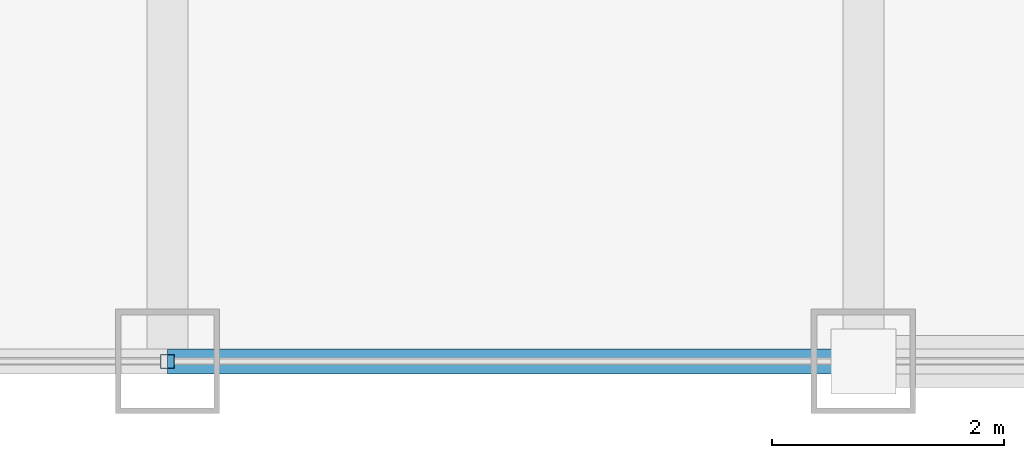
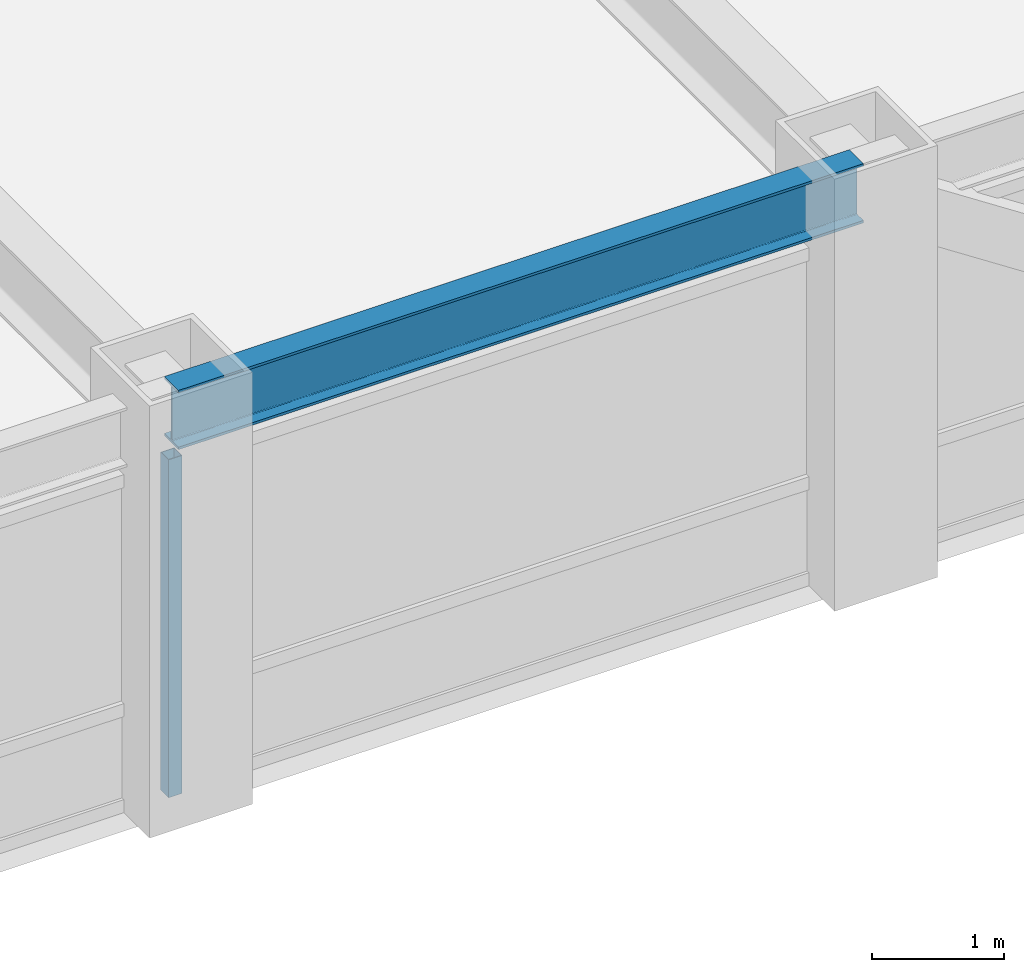
# One storey, part 4 of 22: 1 beam, 1 member, 1 element without a shape of its own.
"""IFC4 building model written with IfcOpenShell, lengths in metres."""

import ifcopenshell
import ifcopenshell.guid

model = None  # the IFC model being written
_history = None  # IfcOwnerHistory: only IFC2X3 demands one
_inside = {}  # id of a spatial element -> (the spatial element, [elements in it])
_under = {}  # id of a project, library or spatial element -> (it, [spatial elements below it])
_declared = {}  # id of a project -> (the project, [libraries it declares])
_typed = {}  # id of a type object -> (the type object, [elements of that type])
_made_of = {}  # id of a material, layer set ... -> (it, [elements and type objects made of it])


def new_model(schema):
    """Start an empty IFC model of exactly this schema.

    Asked for "IFC4X3", IfcOpenShell would pick the latest addendum, in which some entities
    have other attributes; the version numbers below select the first issue.
    IFC2X3 requires an IfcOwnerHistory on every rooted entity: one is made here for all.
    """
    global model, _history
    if schema == "IFC4X3":
        model = ifcopenshell.file(schema_version=(4, 3, 0, 0))
    else:
        model = ifcopenshell.file(schema=schema)
    _inside.clear()
    _under.clear()
    _declared.clear()
    _typed.clear()
    _made_of.clear()
    _history = None
    if model.schema == "IFC2X3":
        org = make("IfcOrganization", Name="unknown")
        user = make(
            "IfcPersonAndOrganization",
            ThePerson=make("IfcPerson", FamilyName="unknown"),
            TheOrganization=org,
        )
        app = make(
            "IfcApplication",
            ApplicationDeveloper=org,
            Version="unknown",
            ApplicationFullName="unknown",
            ApplicationIdentifier="unknown",
        )
        _history = make(
            "IfcOwnerHistory",
            OwningUser=user,
            OwningApplication=app,
            ChangeAction="ADDED",
            CreationDate=0,
        )
    return model


def make(cls, **values):
    """One entity of the class cls with the attributes given. An attribute that is None is left unset."""
    return model.create_entity(
        cls, **{name: value for name, value in values.items() if value is not None}
    )


def rooted(cls, **values):
    """An entity with a GlobalId (a new one), such as an element, a storey or a relation."""
    return make(cls, GlobalId=ifcopenshell.guid.new(), OwnerHistory=_history, **values)


def si_unit(unit_type, name, prefix=None):
    """IfcSIUnit, for example si_unit("LENGTHUNIT", "METRE", prefix="MILLI")."""
    return make("IfcSIUnit", UnitType=unit_type, Prefix=prefix, Name=name)


def assignment(units):
    """IfcUnitAssignment: the units of a project."""
    return None if units is None else make("IfcUnitAssignment", Units=units)


def point(xyz):
    """IfcCartesianPoint."""
    return None if xyz is None else make("IfcCartesianPoint", Coordinates=xyz)


def direction(xyz):
    """IfcDirection."""
    return None if xyz is None else make("IfcDirection", DirectionRatios=xyz)


def frame(location, z_axis=None, x_axis=None):
    """IfcAxis2Placement3D, a coordinate frame: its origin and axes. An axis left out is left unset."""
    return make(
        "IfcAxis2Placement3D",
        Location=point(location),
        Axis=direction(z_axis),
        RefDirection=direction(x_axis),
    )


def frame_2d(location, x_axis=None):
    """IfcAxis2Placement2D, a coordinate frame in the plane: its origin and x axis."""
    return make(
        "IfcAxis2Placement2D", Location=point(location), RefDirection=direction(x_axis)
    )


def origin():
    """The frame at (0, 0, 0) with its axes left unset."""
    return frame((0.0, 0.0, 0.0))


def origin_2d():
    """The frame at (0, 0) in the plane with its x axis left unset."""
    return frame_2d((0.0, 0.0))


def place(relative_to, where):
    """IfcLocalPlacement: puts the frame where relative to a parent placement (None: the world)."""
    return make(
        "IfcLocalPlacement", PlacementRelTo=relative_to, RelativePlacement=where
    )


def context(
    kind, dimensions, precision=None, world=None, true_north=None, identifier=None
):
    """IfcGeometricRepresentationContext, for example the 3D "Model" context."""
    return make(
        "IfcGeometricRepresentationContext",
        ContextIdentifier=identifier,
        ContextType=kind,
        CoordinateSpaceDimension=dimensions,
        Precision=precision,
        WorldCoordinateSystem=world,
        TrueNorth=true_north,
    )


def subcontext(parent, identifier, kind, view, scale=None):
    """IfcGeometricRepresentationSubContext, for example "Body" below "Model"."""
    return make(
        "IfcGeometricRepresentationSubContext",
        ContextIdentifier=identifier,
        ContextType=kind,
        ParentContext=parent,
        TargetScale=scale,
        TargetView=view,
    )


def project(units=None, contexts=None):
    """IfcProject with its units and contexts."""
    return rooted(
        "IfcProject",
        Name="project",
        RepresentationContexts=contexts,
        UnitsInContext=assignment(units),
    )


def spatial(cls, under=None, at=None, **own):
    """A site, building, storey or space (cls), placed at a placement, below another one or the project."""
    s = rooted(cls, ObjectPlacement=at, **own)
    if under is not None:
        _under.setdefault(under.id(), (under, []))[1].append(s)
    return s


def profile(cls, at=None, kind="AREA", **sizes):
    """A parametric profile (cls). Its sizes go by their IFC names, for example OverallWidth=200.0."""
    return make(cls, ProfileType=kind, Position=at, **sizes)


def hollow_rectangle(**sizes):
    """IfcRectangleHollowProfileDef."""
    return profile("IfcRectangleHollowProfileDef", **sizes)


def i_section(**sizes):
    """IfcIShapeProfileDef."""
    return profile("IfcIShapeProfileDef", **sizes)


def extrude(swept, where, along, depth):
    """IfcExtrudedAreaSolid: the profile swept, set in the frame where, extruded along a direction by depth."""
    return make(
        "IfcExtrudedAreaSolid",
        SweptArea=swept,
        Position=where,
        ExtrudedDirection=direction(along),
        Depth=depth,
    )


def shape(context_of_items, identifier, shape_type, items):
    """IfcShapeRepresentation: the items that make up one representation, for example the "Body"."""
    return make(
        "IfcShapeRepresentation",
        ContextOfItems=context_of_items,
        RepresentationIdentifier=identifier,
        RepresentationType=shape_type,
        Items=items,
    )


def source(mapping_origin, context_of_items, identifier, shape_type, items):
    """IfcRepresentationMap: a shape defined once, which mapped items show again and again."""
    return make(
        "IfcRepresentationMap",
        MappingOrigin=mapping_origin,
        MappedRepresentation=shape(context_of_items, identifier, shape_type, items),
    )


def transform(
    local_origin,
    x_axis=None,
    y_axis=None,
    z_axis=None,
    scale=None,
    scale2=None,
    scale3=None,
    uniform=True,
):
    """IfcCartesianTransformationOperator3D, or its non-uniform kind. x_axis, y_axis, z_axis: its Axis1, 2, 3."""
    if uniform:
        return make(
            "IfcCartesianTransformationOperator3D",
            Axis1=direction(x_axis),
            Axis2=direction(y_axis),
            LocalOrigin=point(local_origin),
            Scale=scale,
            Axis3=direction(z_axis),
        )
    return make(
        "IfcCartesianTransformationOperator3DnonUniform",
        Axis1=direction(x_axis),
        Axis2=direction(y_axis),
        LocalOrigin=point(local_origin),
        Scale=scale,
        Axis3=direction(z_axis),
        Scale2=scale2,
        Scale3=scale3,
    )


def mapped(mapping_source, mapping_target):
    """IfcMappedItem: shows the shape of a source again, moved by a transform."""
    return make(
        "IfcMappedItem", MappingSource=mapping_source, MappingTarget=mapping_target
    )


def material(Name=None, Category=None):
    """IfcMaterial."""
    return make("IfcMaterial", Name=Name, Category=Category)


def material_profile(
    of_material, cross_section, Name=None, Category=None, Priority=None
):
    """IfcMaterialProfile: a cross section and its material."""
    return make(
        "IfcMaterialProfile",
        Name=Name,
        Material=of_material,
        Profile=cross_section,
        Priority=Priority,
        Category=Category,
    )


def profile_set(profiles, Name=None, composite=None):
    """IfcMaterialProfileSet."""
    return make(
        "IfcMaterialProfileSet",
        Name=Name,
        MaterialProfiles=profiles,
        CompositeProfile=composite,
    )


def made_of(thing, what):
    """Note that an element or type object is made of a material, layer set ...; save() writes the relation."""
    if what is not None:
        _made_of.setdefault(what.id(), (what, []))[1].append(thing)
    return thing


def type_object(cls, material=None, **own):
    """A type object (cls), such as IfcWallType, which elements share."""
    return made_of(rooted(cls, **own), material)


def element(
    cls,
    number,
    at=None,
    inside=None,
    cuts=None,
    type_object=None,
    material=None,
    context=None,
    identifier="Body",
    shape_type=None,
    held_by="IfcProductDefinitionShape",
    body=None,
    shapes=None,
    **own,
):
    """One element of the class cls, such as IfcWall. Its Tag is "e" and its number.

    at: its placement. inside: the storey or other place that contains it. cuts: it is an
    opening in that element (IfcRelVoidsElement). A single representation is given by context,
    identifier, shape_type and body (its items); several are given by shapes. held_by: the class
    of the entity that holds the representations. save() writes the other relations.
    """
    e = rooted(cls, Tag="e%d" % number, ObjectPlacement=at, **own)
    if body is not None:
        shapes = [shape(context, identifier, shape_type, body)]
    if shapes is not None:
        e.Representation = make(held_by, Representations=shapes)
    if inside is not None:
        _inside.setdefault(inside.id(), (inside, []))[1].append(e)
    if cuts is not None:
        rooted(
            "IfcRelVoidsElement", RelatingBuildingElement=cuts, RelatedOpeningElement=e
        )
    if type_object is not None:
        _typed.setdefault(type_object.id(), (type_object, []))[1].append(e)
    return made_of(e, material)


def aggregate(whole, parts):
    """IfcRelAggregates: a whole, such as a stair, and the parts it consists of."""
    return rooted("IfcRelAggregates", RelatingObject=whole, RelatedObjects=parts)


def save(model, path):
    """Write the relations noted so far, then the file.

    IfcRelAggregates (storeys below a building ...), IfcRelContainedInSpatialStructure (elements
    in a storey), IfcRelDefinesByType, IfcRelAssociatesMaterial and IfcRelDeclares: one each for
    every whole, place, type object, material and project.
    """
    for whole, parts in _under.values():
        aggregate(whole, parts)
    for where, things in _inside.values():
        rooted(
            "IfcRelContainedInSpatialStructure",
            RelatedElements=things,
            RelatingStructure=where,
        )
    for kind, things in _typed.values():
        rooted("IfcRelDefinesByType", RelatedObjects=things, RelatingType=kind)
    for what, things in _made_of.values():
        rooted("IfcRelAssociatesMaterial", RelatedObjects=things, RelatingMaterial=what)
    for by, libraries in _declared.values():
        rooted("IfcRelDeclares", RelatingContext=by, RelatedDefinitions=libraries)
    model.write(path)


model = new_model("IFC4")

# Units and contexts
model_context = context("Model", 3, precision=1e-05, world=origin(), true_north=direction((0.0, 1.0)))
body_context = subcontext(model_context, "Body", "Model", "MODEL_VIEW")
ifc_project = project(units=[si_unit("LENGTHUNIT", "METRE"), si_unit("AREAUNIT", "SQUARE_METRE"), si_unit("VOLUMEUNIT", "CUBIC_METRE"), si_unit("PLANEANGLEUNIT", "RADIAN"), si_unit("MASSUNIT", "GRAM", prefix="KILO")], contexts=[model_context])

# Site, building, storey
site_placement = place(None, origin())
site = spatial("IfcSite", under=ifc_project, at=site_placement, CompositionType="ELEMENT")
building_placement = place(site_placement, origin())
building = spatial("IfcBuilding", under=site, at=building_placement, Name="Khorayat Bourse Tower", CompositionType="ELEMENT")
storey_placement = place(building_placement, frame((0.0, 0.0, 301.5)))
storey = spatial("IfcBuildingStorey", under=building, at=storey_placement, Name="L71", CompositionType="ELEMENT", Elevation=301.5)

# Beam
ifc_material_1 = material(Name="Steel ASTM A992 Grade 50", Category="steel")
ifc_material_profile_1 = material_profile(ifc_material_1, i_section(OverallWidth=0.214111328125, OverallDepth=0.549072265625, WebThickness=0.0146484375, FlangeThickness=0.023681640625, FilletRadius=0.013916015625, at=origin_2d()), Name="W530X138")
ifc_profile_set_1 = profile_set([ifc_material_profile_1], Name="Steel ASTM A992 Grade 50")
beam_type = type_object("IfcBeamType", Name="BM-SPAN-530", PredefinedType="SPANDREL", material=ifc_profile_set_1)
shared_shape_1 = source(origin(), body_context, "Body", "SweptSolid", [
    extrude(i_section(OverallWidth=0.214111328125, OverallDepth=0.549072265625, WebThickness=0.0146484375, FlangeThickness=0.023681640625, FilletRadius=0.013916015625, at=origin_2d()), origin(), (0.0, 0.0, 1.0), 6.0),
])
beam_placement = place(storey_placement, frame((0.0, -28.0, 3.505615234375), z_axis=(1.0, 0.0, 0.0), x_axis=(0.0, 1.0, 0.0)))
element("IfcBeam", 1, at=beam_placement, inside=storey, type_object=beam_type, Name="L71 BM-SPAN-530 BM-L71-SPN-028", PredefinedType="SPANDREL", context=body_context, shape_type="MappedRepresentation", body=[
    mapped(shared_shape_1, transform((0.0, 0.0, 0.0), scale=1.0)),
])

# Curtain wall, member
ifc_material_2 = material(Name="Aluminium EN AW-6063 T6", Category="aluminium")
curtain_wall_type = type_object("IfcCurtainWallType", Name="CW-SYS-04", PredefinedType="NOTDEFINED", material=ifc_material_2)
curtain_wall_placement = place(storey_placement, origin())
curtain_wall = element("IfcCurtainWall", 2, at=curtain_wall_placement, inside=storey, type_object=curtain_wall_type, Name="L71 Curtain Wall CW-L71-S1", PredefinedType="NOTDEFINED")
ifc_material_profile_2 = material_profile(ifc_material_2, hollow_rectangle(XDim=0.1201171875, YDim=0.1201171875, WallThickness=0.0048828125, at=origin_2d()), Name="ALU 120x120x5")
ifc_profile_set_2 = profile_set([ifc_material_profile_2], Name="Aluminium EN AW-6063 T6")
member_type = type_object("IfcMemberType", Name="CWM-VERT-120", PredefinedType="MULLION", material=ifc_profile_set_2)
shared_shape_2 = source(origin(), body_context, "Body", "SweptSolid", [
    extrude(hollow_rectangle(XDim=0.1201171875, YDim=0.1201171875, WallThickness=0.0048828125, at=origin_2d()), origin(), (0.0, 0.0, 1.0), 3.1298828125),
])
member_placement = place(storey_placement, frame((0.0, -28.0, 0.0), z_axis=(0.0, 0.0, 1.0), x_axis=(0.0, 1.0, 0.0)))
member = element("IfcMember", 3, at=member_placement, type_object=member_type, Name="CW-L71-S1 Vertical Mullion 2", PredefinedType="MULLION", context=body_context, shape_type="MappedRepresentation", body=[
    mapped(shared_shape_2, transform((0.0, 0.0, 0.0), scale=1.0)),
])
aggregate(curtain_wall, [member])

save(model, "model.ifc")
